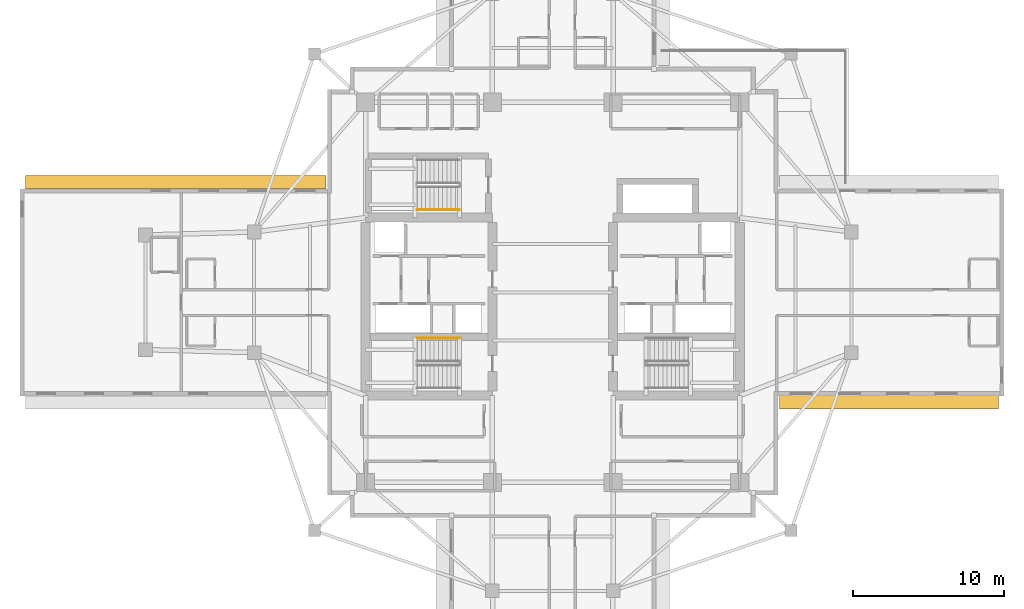
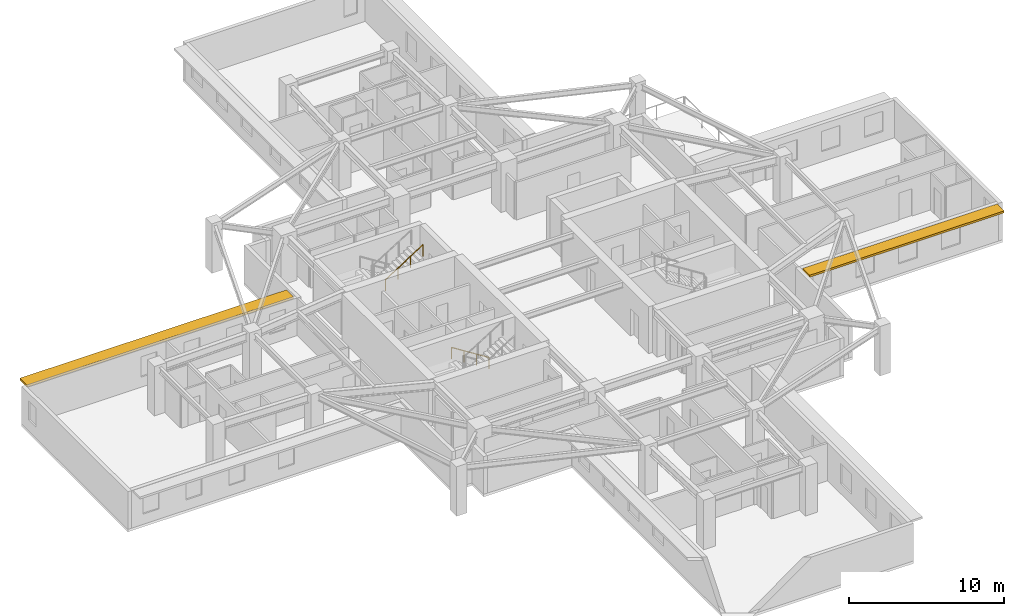
# One storey, part 11 of 13: 2 railings, 2 shading devices.
"""IFC4 building model written with IfcOpenShell, lengths in metres."""

from ifc_helpers import new_model, si_unit, direction, frame, origin, origin_2d, place, context, subcontext, project, spatial, rectangle, circle, extrude, material, layer, layer_set, type_object, element, save


model = new_model("IFC4")

# Units and contexts
model_context = context("Model", 3, precision=1e-05, world=origin(), true_north=direction((0.0, 1.0)))
body_context = subcontext(model_context, "Body", "Model", "MODEL_VIEW")
ifc_project = project(units=[si_unit("LENGTHUNIT", "METRE"), si_unit("AREAUNIT", "SQUARE_METRE"), si_unit("VOLUMEUNIT", "CUBIC_METRE"), si_unit("PLANEANGLEUNIT", "RADIAN"), si_unit("MASSUNIT", "GRAM", prefix="KILO")], contexts=[model_context])

# Site, building, storey
site_placement = place(None, origin())
site = spatial("IfcSite", under=ifc_project, at=site_placement, CompositionType="ELEMENT")
building_placement = place(site_placement, origin())
building = spatial("IfcBuilding", under=site, at=building_placement, Name="Qingluan Cross Belvedere", CompositionType="ELEMENT")
storey_placement = place(building_placement, frame((0.0, 0.0, 183.89990234375)))
storey = spatial("IfcBuildingStorey", under=building, at=storey_placement, Name="L46", CompositionType="ELEMENT", Elevation=183.89990234375)

# Shading devices
ifc_material_1 = material(Name="Precast concrete C45", Category="concrete")
ifc_layer = layer(ifc_material_1, 0.159912109375, Name="ConcreteSunshadeBand_900")
ifc_layer_set = layer_set([ifc_layer], Name="Precast concrete C45")
shading_device_type = type_object("IfcShadingDeviceType", Name="ConcreteSunshadeBand_900", PredefinedType="USERDEFINED", material=ifc_layer_set)
shading_device_1_placement = place(storey_placement, frame((22.2900390625, -7.2900390625, 2.7900390625), z_axis=(0.0, 0.0, 1.0), x_axis=(1.0, 0.0, 0.0)))
element("IfcShadingDevice", 1, at=shading_device_1_placement, inside=storey, type_object=shading_device_type, Name="Concrete SUNSHADE L46-EA", ObjectType="SUNSHADE", PredefinedType="USERDEFINED", context=body_context, shape_type="SweptSolid", body=[
    extrude(rectangle(XDim=14.5, YDim=0.89990234375, at=origin_2d()), origin(), (0.0, 0.0, 1.0), 0.159912109375),
])
shading_device_2_placement = place(storey_placement, frame((-24.989990234375, 7.2900390625, 2.7900390625), z_axis=(0.0, 0.0, 1.0), x_axis=(-1.0, 0.0, 0.0)))
element("IfcShadingDevice", 2, at=shading_device_2_placement, inside=storey, type_object=shading_device_type, Name="Concrete SUNSHADE L46-WA", ObjectType="SUNSHADE", PredefinedType="USERDEFINED", context=body_context, shape_type="SweptSolid", body=[
    extrude(rectangle(XDim=19.89990234375, YDim=0.89990234375, at=origin_2d()), origin(), (0.0, 0.0, 1.0), 0.159912109375),
])

# Railings
ifc_material_2 = material(Name="Brushed stainless steel tubular handrail", Category="steel")
railing_type = type_object("IfcRailingType", Name="StairPitchHandrail_900", PredefinedType="HANDRAIL", material=ifc_material_2)
railing_1_placement = place(storey_placement, frame((-6.179931640625, -3.050048828125, 0.177490234375)))
element("IfcRailing", 3, at=railing_1_placement, inside=storey, type_object=railing_type, Name="L46 ST1 stair handrail 1", PredefinedType="HANDRAIL", context=body_context, shape_type="SweptSolid", body=[
    extrude(circle(Radius=0.02392578125, at=origin_2d()), frame((0.0, 0.0, 0.8759765625), z_axis=(-0.844908973607, 0.0, 0.534910110503), x_axis=(0.0, -1.0, 0.0)), (0.0, 0.0, 1.0), 3.31396484375),
    extrude(circle(Radius=0.02099609375, at=origin_2d()), origin(), (0.0, 0.0, 1.0), 0.851806640625),
    extrude(circle(Radius=0.02099609375, at=origin_2d()), frame((-0.933349609375, 0.0, 0.5908203125)), (0.0, 0.0, 1.0), 0.851806640625),
    extrude(circle(Radius=0.02099609375, at=origin_2d()), frame((-1.86669921875, 0.0, 1.181884765625)), (0.0, 0.0, 1.0), 0.851806640625),
    extrude(circle(Radius=0.02099609375, at=origin_2d()), frame((-2.800048828125, 0.0, 1.772705078125)), (0.0, 0.0, 1.0), 0.851806640625),
])
railing_2_placement = place(storey_placement, frame((-8.97998046875, 5.469970703125, 2.12744140625)))
element("IfcRailing", 4, at=railing_2_placement, inside=storey, type_object=railing_type, Name="L46 ST3 stair handrail 2", PredefinedType="HANDRAIL", context=body_context, shape_type="SweptSolid", body=[
    extrude(circle(Radius=0.02392578125, at=origin_2d()), frame((0.0, 0.0, 0.8759765625), z_axis=(0.844908973607, 0.0, 0.534910110503), x_axis=(0.0, 1.0, 0.0)), (0.0, 0.0, 1.0), 3.31396484375),
    extrude(circle(Radius=0.02099609375, at=origin_2d()), origin(), (0.0, 0.0, 1.0), 0.851806640625),
    extrude(circle(Radius=0.02099609375, at=origin_2d()), frame((0.933349609375, 0.0, 0.5908203125)), (0.0, 0.0, 1.0), 0.851806640625),
    extrude(circle(Radius=0.02099609375, at=origin_2d()), frame((1.86669921875, 0.0, 1.181884765625)), (0.0, 0.0, 1.0), 0.851806640625),
    extrude(circle(Radius=0.02099609375, at=origin_2d()), frame((2.800048828125, 0.0, 1.772705078125)), (0.0, 0.0, 1.0), 0.851806640625),
])

save(model, "model.ifc")
